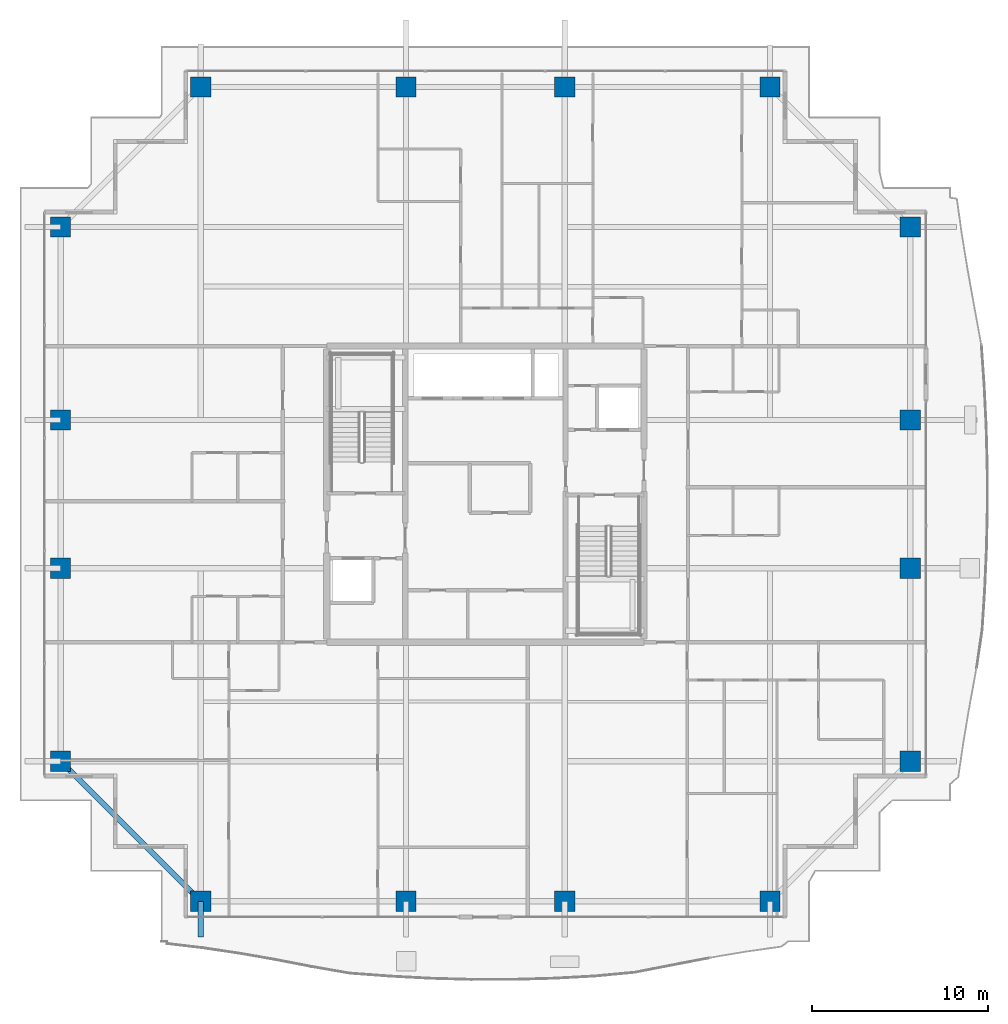
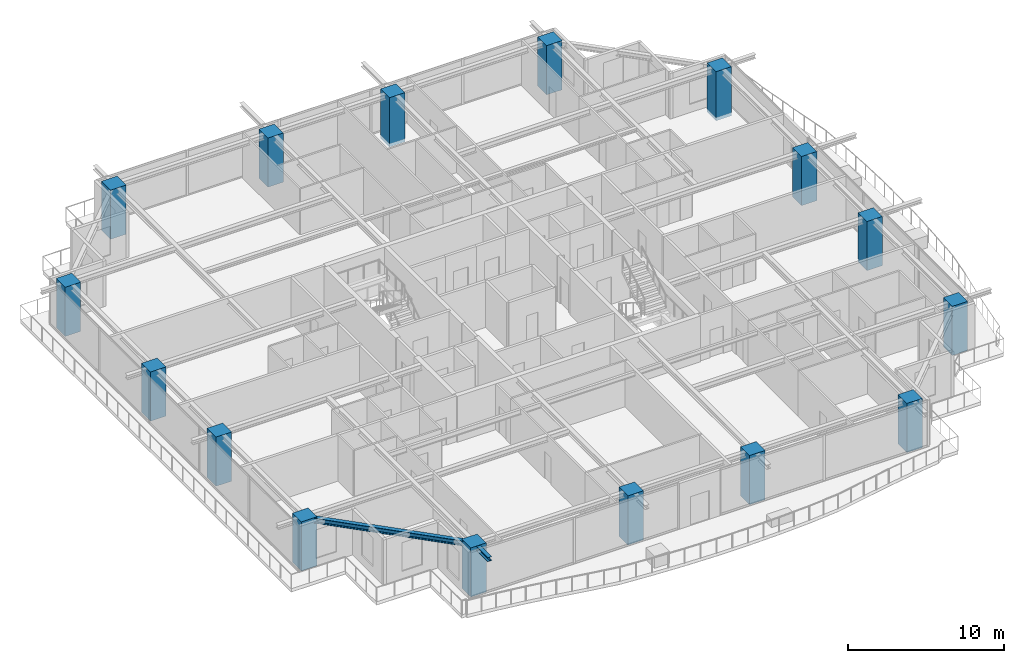
# One storey, part 1 of 37: 16 columns, 2 beams.
"""IFC4 building model written with IfcOpenShell, lengths in metres."""

from ifc_helpers import new_model, si_unit, direction, frame, origin, origin_2d, place, context, subcontext, project, spatial, rectangle, i_section, extrude, source, transform, mapped, material, material_profile, profile_set, type_object, element, save


model = new_model("IFC4")

# Units and contexts
model_context = context("Model", 3, precision=1e-05, world=origin(), true_north=direction((0.0, 1.0)))
body_context = subcontext(model_context, "Body", "Model", "MODEL_VIEW")
ifc_project = project(units=[si_unit("LENGTHUNIT", "METRE"), si_unit("AREAUNIT", "SQUARE_METRE"), si_unit("VOLUMEUNIT", "CUBIC_METRE"), si_unit("PLANEANGLEUNIT", "RADIAN"), si_unit("MASSUNIT", "GRAM", prefix="KILO")], contexts=[model_context])

# Site, building, storey
site_placement = place(None, origin())
site = spatial("IfcSite", under=ifc_project, at=site_placement, CompositionType="ELEMENT")
building_placement = place(site_placement, origin())
building = spatial("IfcBuilding", under=site, at=building_placement, Name="Serunith Strait Residences", CompositionType="ELEMENT")
storey_placement = place(building_placement, frame((0.0, 0.0, 260.5)))
storey = spatial("IfcBuildingStorey", under=building, at=storey_placement, Name="L65", CompositionType="ELEMENT", Elevation=260.5)

# Columns
ifc_material_1 = material(Name="Concrete C80/95", Category="concrete")
ifc_material_profile_1 = material_profile(ifc_material_1, rectangle(XDim=1.14990234375, YDim=1.14990234375, at=origin_2d()), Name="RC 1150x1150")
ifc_profile_set_1 = profile_set([ifc_material_profile_1], Name="Concrete C80/95")
column_type = type_object("IfcColumnType", Name="COL-RC-1150", PredefinedType="COLUMN", material=ifc_profile_set_1)
shared_shape_1 = source(origin(), body_context, "Body", "SweptSolid", [
    extrude(rectangle(XDim=1.14990234375, YDim=1.14990234375, at=origin_2d()), origin(), (0.0, 0.0, 1.0), 3.85009765625),
])
for number, where, z_axis, x_axis, name in (
    (1, (16.25, 2.10009765625, -0.260009765625), (0.0, 0.0, 1.0), (1.0, 0.0, 0.0), "L65 Tower Mega-Column TC-S1"),
    (2, (27.89990234375, 2.10009765625, -0.260009765625), (0.0, 0.0, 1.0), (1.0, 0.0, 0.0), "L65 Tower Mega-Column TC-S2"),
    (3, (36.89990234375, 2.10009765625, -0.260009765625), (0.0, 0.0, 1.0), (1.0, 0.0, 0.0), "L65 Tower Mega-Column TC-S3"),
    (4, (48.550048828125, 2.10009765625, -0.260009765625), (0.0, 0.0, 1.0), (1.0, 0.0, 0.0), "L65 Tower Mega-Column TC-S4"),
    (5, (16.25, 48.300048828125, -0.260009765625), (0.0, 0.0, 1.0), (1.0, 0.0, 0.0), "L65 Tower Mega-Column TC-N1"),
    (6, (27.89990234375, 48.300048828125, -0.260009765625), (0.0, 0.0, 1.0), (1.0, 0.0, 0.0), "L65 Tower Mega-Column TC-N2"),
    (7, (36.89990234375, 48.300048828125, -0.260009765625), (0.0, 0.0, 1.0), (1.0, 0.0, 0.0), "L65 Tower Mega-Column TC-N3"),
    (8, (48.550048828125, 48.300048828125, -0.260009765625), (0.0, 0.0, 1.0), (1.0, 0.0, 0.0), "L65 Tower Mega-Column TC-N4"),
    (9, (56.5, 10.050048828125, -0.260009765625), (0.0, 0.0, 1.0), (1.0, 0.0, 0.0), "L65 Tower Mega-Column TC-E1"),
    (10, (56.5, 21.0, -0.260009765625), (0.0, 0.0, 1.0), (1.0, 0.0, 0.0), "L65 Tower Mega-Column TC-E2"),
    (11, (56.5, 29.39990234375, -0.260009765625), (0.0, 0.0, 1.0), (1.0, 0.0, 0.0), "L65 Tower Mega-Column TC-E3"),
    (12, (56.5, 40.35009765625, -0.260009765625), (0.0, 0.0, 1.0), (1.0, 0.0, 0.0), "L65 Tower Mega-Column TC-E4"),
    (13, (8.300048828125, 10.050048828125, -0.260009765625), (0.0, 0.0, 1.0), (1.0, 0.0, 0.0), "L65 Tower Mega-Column TC-W1"),
    (14, (8.300048828125, 21.0, -0.260009765625), (0.0, 0.0, 1.0), (1.0, 0.0, 0.0), "L65 Tower Mega-Column TC-W2"),
    (15, (8.300048828125, 29.39990234375, -0.260009765625), (0.0, 0.0, 1.0), (1.0, 0.0, 0.0), "L65 Tower Mega-Column TC-W3"),
    (16, (8.300048828125, 40.35009765625, -0.260009765625), (0.0, 0.0, 1.0), (1.0, 0.0, 0.0), "L65 Tower Mega-Column TC-W4"),
):
    element("IfcColumn", number, at=place(storey_placement, frame(where, z_axis=z_axis, x_axis=x_axis)), inside=storey, type_object=column_type, Name=name, PredefinedType="COLUMN", context=body_context, shape_type="MappedRepresentation", body=[
        mapped(shared_shape_1, transform((0.0, 0.0, 0.0), scale=1.0)),
    ])

# Beams
ifc_material_2 = material(Name="Steel S355J2", Category="steel")
ifc_material_profile_2 = material_profile(ifc_material_2, i_section(OverallWidth=0.300048828125, OverallDepth=0.39990234375, WebThickness=0.013427734375, FlangeThickness=0.02392578125, FilletRadius=0.027099609375, at=origin_2d()), Name="HEB 400")
ifc_profile_set_2 = profile_set([ifc_material_profile_2], Name="Steel S355J2")
beam_type_1 = type_object("IfcBeamType", Name="BM-HEB400", PredefinedType="BEAM", material=ifc_profile_set_2)
shared_shape_2 = source(origin(), body_context, "Body", "SweptSolid", [
    extrude(i_section(OverallWidth=0.300048828125, OverallDepth=0.39990234375, WebThickness=0.013427734375, FlangeThickness=0.02392578125, FilletRadius=0.027099609375, at=origin_2d()), origin(), (0.0, 0.0, 1.0), 11.242919921875),
])
beam_1_placement = place(storey_placement, frame((8.300048828125, 10.050048828125, 3.35693359375), z_axis=(0.707106781187, -0.707106781187, 0.0), x_axis=(0.707106781187, 0.707106781187, 0.0)))
element("IfcBeam", 17, at=beam_1_placement, inside=storey, type_object=beam_type_1, Name="L65 Perimeter Ring Beam 16", PredefinedType="BEAM", context=body_context, shape_type="MappedRepresentation", body=[
    mapped(shared_shape_2, transform((0.0, 0.0, 0.0), scale=1.0)),
])
ifc_material_profile_3 = material_profile(ifc_material_2, i_section(OverallWidth=0.300048828125, OverallDepth=0.320068359375, WebThickness=0.011474609375, FlangeThickness=0.0205078125, FilletRadius=0.027099609375, at=origin_2d()), Name="HEB 320")
ifc_profile_set_3 = profile_set([ifc_material_profile_3], Name="Steel S355J2")
beam_type_2 = type_object("IfcBeamType", Name="BM-HEB320", PredefinedType="BEAM", material=ifc_profile_set_3)
shared_shape_3 = source(origin(), body_context, "Body", "SweptSolid", [
    extrude(i_section(OverallWidth=0.300048828125, OverallDepth=0.320068359375, WebThickness=0.011474609375, FlangeThickness=0.0205078125, FilletRadius=0.027099609375, at=origin_2d()), origin(), (0.0, 0.0, 1.0), 2.030029296875),
])
beam_2_placement = place(storey_placement, frame((16.25, 2.10009765625, 3.39697265625), z_axis=(0.0, -1.0, 0.0), x_axis=(1.0, 0.0, 0.0)))
element("IfcBeam", 18, at=beam_2_placement, inside=storey, type_object=beam_type_2, Name="L66 Cantilevered Balcony Rib TC-S1", PredefinedType="BEAM", context=body_context, shape_type="MappedRepresentation", body=[
    mapped(shared_shape_3, transform((0.0, 0.0, 0.0), scale=1.0)),
])

save(model, "model.ifc")
